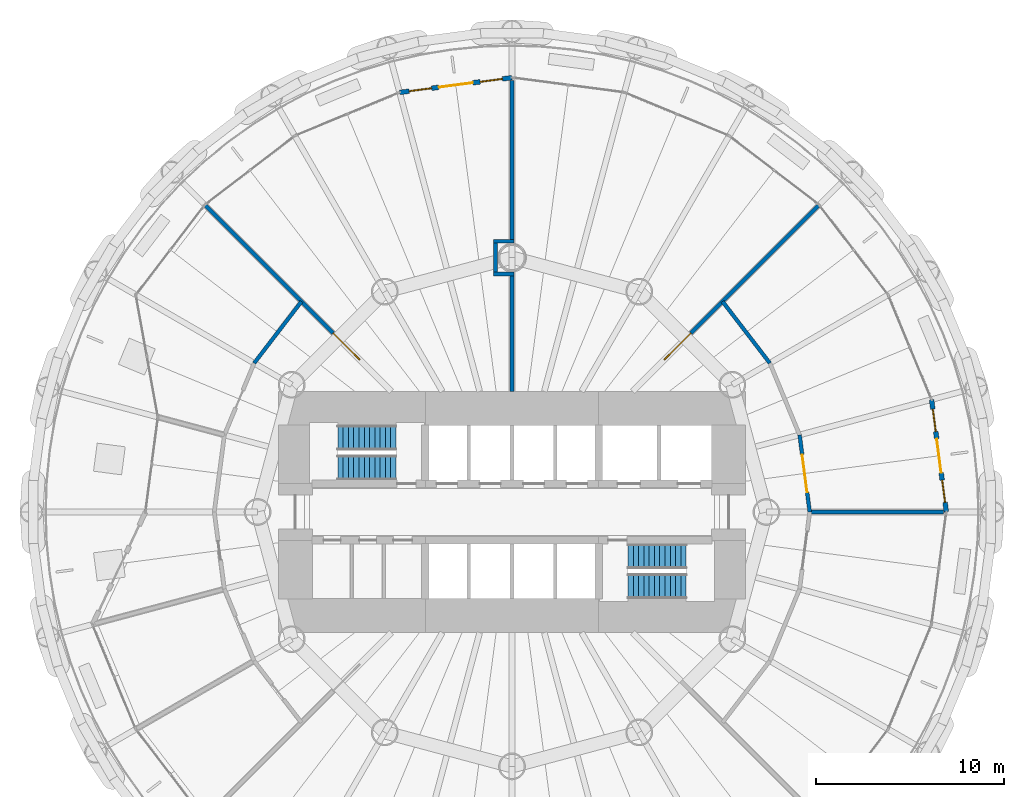
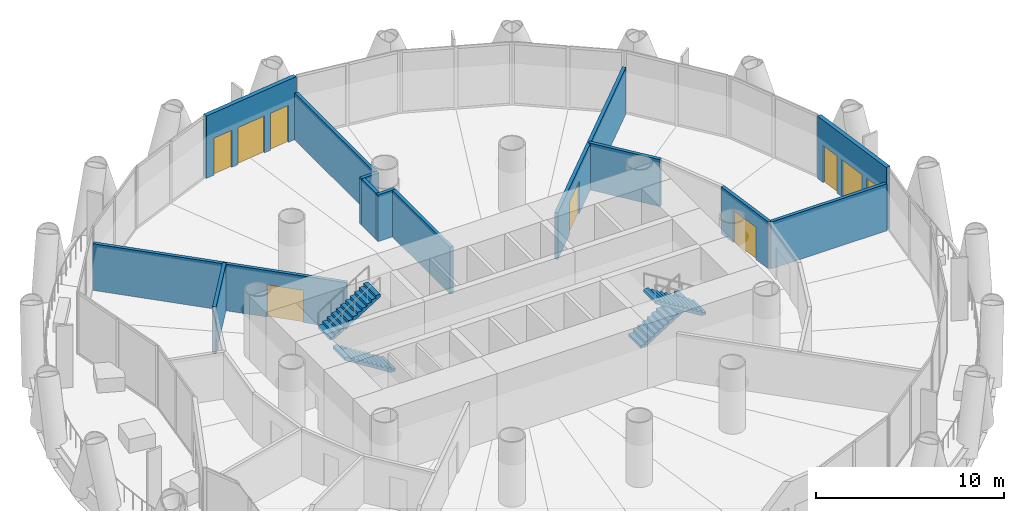
# One storey, part 11 of 15: 13 walls, 5 doors, 4 stair flights, 4 windows, 9 openings, 2 elements without a shape of their own.
"""IFC4 building model written with IfcOpenShell, lengths in metres."""

from ifc_helpers import new_model, si_unit, direction, frame, frame_2d, origin, place, context, subcontext, project, spatial, polyline, rectangle, outline, extrude, material, layer, layer_set, type_object, element, fill, aggregate, save


model = new_model("IFC4")

# Units and contexts
model_context = context("Model", 3, precision=1e-05, world=origin(), true_north=direction((0.0, 1.0)))
body_context = subcontext(model_context, "Body", "Model", "MODEL_VIEW")
ifc_project = project(units=[si_unit("LENGTHUNIT", "METRE"), si_unit("AREAUNIT", "SQUARE_METRE"), si_unit("VOLUMEUNIT", "CUBIC_METRE"), si_unit("PLANEANGLEUNIT", "RADIAN"), si_unit("MASSUNIT", "GRAM", prefix="KILO")], contexts=[model_context])

# Site, building, storey
site_placement = place(None, origin())
site = spatial("IfcSite", under=ifc_project, at=site_placement, CompositionType="ELEMENT")
building_placement = place(site_placement, origin())
building = spatial("IfcBuilding", under=site, at=building_placement, Name="Qaws Media Tower", CompositionType="ELEMENT")
storey_placement = place(building_placement, frame((0.0, 0.0, 72.199951171875)))
storey = spatial("IfcBuildingStorey", under=building, at=storey_placement, Name="L15", CompositionType="ELEMENT", Elevation=72.199951171875)

# Wall, openings, door, windows
ifc_material_1 = material(Name="Precast concrete, exposed finish", Category="concrete")
ifc_layer_1 = layer(ifc_material_1, 0.25)
ifc_layer_set_1 = layer_set([ifc_layer_1], Name="Balcony door wall 250")
wall_type_1 = type_object("IfcWallType", Name="Balcony door wall 250", PredefinedType="SOLIDWALL", material=ifc_layer_set_1)
wall_1_placement = place(storey_placement, frame((83.050048828125, 50.0, 0.0), z_axis=(0.0, 0.0, 1.0), x_axis=(-0.130523782115, 0.991445178667, 0.0)))
wall_1 = element("IfcWall", 1, at=wall_1_placement, inside=storey, type_object=wall_type_1, Name="W152 EW1 balcony door wall L15-01", PredefinedType="SOLIDWALL", context=body_context, shape_type="SweptSolid", body=[
    extrude(rectangle(XDim=6.017333984375, YDim=0.25, at=frame_2d((3.0087890625, 0.0))), origin(), (0.0, 0.0, 1.0), 4.0400390625),
])
opening_1_placement = place(wall_1_placement, frame((2.108642578125, 0.0, 0.0)))
opening_1 = element("IfcOpeningElement", 2, at=opening_1_placement, cuts=wall_1, Name="Opening D7", PredefinedType="OPENING", context=body_context, shape_type="SweptSolid", body=[
    extrude(rectangle(XDim=1.800048828125, YDim=2.39990234375, at=frame_2d((0.89990234375, 1.199951171875))), frame((0.0, 0.135009765625, 0.0), z_axis=(0.0, -1.0, 0.0), x_axis=(1.0, 0.0, 0.0)), (0.0, 0.0, 1.0), 0.27001953125),
])
opening_2_placement = place(wall_1_placement, frame((0.508544921875, 0.0, 0.0)))
opening_2 = element("IfcOpeningElement", 3, at=opening_2_placement, cuts=wall_1, Name="Opening W1", PredefinedType="OPENING", context=body_context, shape_type="SweptSolid", body=[
    extrude(rectangle(XDim=1.199951171875, YDim=2.39990234375, at=frame_2d((0.60009765625, 1.199951171875))), frame((0.0, 0.135009765625, 0.0), z_axis=(0.0, -1.0, 0.0), x_axis=(1.0, 0.0, 0.0)), (0.0, 0.0, 1.0), 0.27001953125),
])
opening_3_placement = place(wall_1_placement, frame((4.30859375, 0.0, 0.0)))
opening_3 = element("IfcOpeningElement", 4, at=opening_3_placement, cuts=wall_1, Name="Opening W1", PredefinedType="OPENING", context=body_context, shape_type="SweptSolid", body=[
    extrude(rectangle(XDim=1.199951171875, YDim=2.39990234375, at=frame_2d((0.60009765625, 1.199951171875))), frame((0.0, 0.135009765625, 0.0), z_axis=(0.0, -1.0, 0.0), x_axis=(1.0, 0.0, 0.0)), (0.0, 0.0, 1.0), 0.27001953125),
])
ifc_material_2 = material(Name="Aluminium and clear glass", Category="aluminium")
door_type_1 = type_object("IfcDoorType", Name="Balcony door pair 1800", OperationType="DOUBLE_DOOR_SLIDING", PredefinedType="DOOR", material=ifc_material_2)
door_1_placement = place(opening_1_placement, origin())
door_1 = element("IfcDoor", 5, at=door_1_placement, inside=storey, type_object=door_type_1, Name="D7 balcony door L15-01 in wall W152", OperationType="DOUBLE_DOOR_SLIDING", OverallHeight=2.39990234375, OverallWidth=1.800048828125, PredefinedType="DOOR", context=body_context, shape_type="SweptSolid", body=[
    extrude(rectangle(XDim=1.800048828125, YDim=2.39990234375, at=frame_2d((0.89990234375, 1.199951171875))), frame((0.0, 0.02490234375, 0.0), z_axis=(0.0, -1.0, 0.0), x_axis=(1.0, 0.0, 0.0)), (0.0, 0.0, 1.0), 0.050048828125),
])
fill(opening_1, door_1)
ifc_material_3 = material(Name="Aluminium and clear glass", Category="aluminium")
window_type = type_object("IfcWindowType", Name="Balcony side window 1200", PartitioningType="SINGLE_PANEL", PredefinedType="WINDOW", material=ifc_material_3)
window_1_placement = place(opening_2_placement, origin())
window_1 = element("IfcWindow", 6, at=window_1_placement, inside=storey, type_object=window_type, Name="W1 balcony side light L15-01L", OverallHeight=2.39990234375, OverallWidth=1.199951171875, PartitioningType="SINGLE_PANEL", PredefinedType="WINDOW", context=body_context, shape_type="SweptSolid", body=[
    extrude(rectangle(XDim=1.199951171875, YDim=2.39990234375, at=frame_2d((0.60009765625, 1.199951171875))), frame((0.0, 0.030029296875, 0.0), z_axis=(0.0, -1.0, 0.0), x_axis=(1.0, 0.0, 0.0)), (0.0, 0.0, 1.0), 0.06005859375),
])
fill(opening_2, window_1)
window_2_placement = place(opening_3_placement, origin())
window_2 = element("IfcWindow", 7, at=window_2_placement, inside=storey, type_object=window_type, Name="W1 balcony side light L15-01R", OverallHeight=2.39990234375, OverallWidth=1.199951171875, PartitioningType="SINGLE_PANEL", PredefinedType="WINDOW", context=body_context, shape_type="SweptSolid", body=[
    extrude(rectangle(XDim=1.199951171875, YDim=2.39990234375, at=frame_2d((0.60009765625, 1.199951171875))), frame((0.0, 0.030029296875, 0.0), z_axis=(0.0, -1.0, 0.0), x_axis=(1.0, 0.0, 0.0)), (0.0, 0.0, 1.0), 0.06005859375),
])
fill(opening_3, window_2)

wall_2_placement = place(storey_placement, frame((60.0, 73.050048828125, 0.0), z_axis=(0.0, 0.0, 1.0), x_axis=(-0.991445178667, -0.130523782115, 0.0)))
wall_2 = element("IfcWall", 8, at=wall_2_placement, inside=storey, type_object=wall_type_1, Name="W151 EW1 balcony door wall L15-07", PredefinedType="SOLIDWALL", context=body_context, shape_type="SweptSolid", body=[
    extrude(rectangle(XDim=6.017333984375, YDim=0.25, at=frame_2d((3.0087890625, 0.0))), origin(), (0.0, 0.0, 1.0), 4.0400390625),
])
opening_4_placement = place(wall_2_placement, frame((2.108642578125, 0.0, 0.0)))
opening_4 = element("IfcOpeningElement", 9, at=opening_4_placement, cuts=wall_2, Name="Opening D7", PredefinedType="OPENING", context=body_context, shape_type="SweptSolid", body=[
    extrude(rectangle(XDim=1.800048828125, YDim=2.39990234375, at=frame_2d((0.89990234375, 1.199951171875))), frame((0.0, 0.135009765625, 0.0), z_axis=(0.0, -1.0, 0.0), x_axis=(1.0, 0.0, 0.0)), (0.0, 0.0, 1.0), 0.27001953125),
])
opening_5_placement = place(wall_2_placement, frame((0.508544921875, 0.0, 0.0)))
opening_5 = element("IfcOpeningElement", 10, at=opening_5_placement, cuts=wall_2, Name="Opening W1", PredefinedType="OPENING", context=body_context, shape_type="SweptSolid", body=[
    extrude(rectangle(XDim=1.199951171875, YDim=2.39990234375, at=frame_2d((0.60009765625, 1.199951171875))), frame((0.0, 0.135009765625, 0.0), z_axis=(0.0, -1.0, 0.0), x_axis=(1.0, 0.0, 0.0)), (0.0, 0.0, 1.0), 0.27001953125),
])
opening_6_placement = place(wall_2_placement, frame((4.30859375, 0.0, 0.0)))
opening_6 = element("IfcOpeningElement", 11, at=opening_6_placement, cuts=wall_2, Name="Opening W1", PredefinedType="OPENING", context=body_context, shape_type="SweptSolid", body=[
    extrude(rectangle(XDim=1.199951171875, YDim=2.39990234375, at=frame_2d((0.60009765625, 1.199951171875))), frame((0.0, 0.135009765625, 0.0), z_axis=(0.0, -1.0, 0.0), x_axis=(1.0, 0.0, 0.0)), (0.0, 0.0, 1.0), 0.27001953125),
])
door_2_placement = place(opening_4_placement, origin())
door_2 = element("IfcDoor", 12, at=door_2_placement, inside=storey, type_object=door_type_1, Name="D7 balcony door L15-07 in wall W151", OperationType="DOUBLE_DOOR_SLIDING", OverallHeight=2.39990234375, OverallWidth=1.800048828125, PredefinedType="DOOR", context=body_context, shape_type="SweptSolid", body=[
    extrude(rectangle(XDim=1.800048828125, YDim=2.39990234375, at=frame_2d((0.89990234375, 1.199951171875))), frame((0.0, 0.02490234375, 0.0), z_axis=(0.0, -1.0, 0.0), x_axis=(1.0, 0.0, 0.0)), (0.0, 0.0, 1.0), 0.050048828125),
])
fill(opening_4, door_2)
window_3_placement = place(opening_5_placement, origin())
window_3 = element("IfcWindow", 13, at=window_3_placement, inside=storey, type_object=window_type, Name="W1 balcony side light L15-07L", OverallHeight=2.39990234375, OverallWidth=1.199951171875, PartitioningType="SINGLE_PANEL", PredefinedType="WINDOW", context=body_context, shape_type="SweptSolid", body=[
    extrude(rectangle(XDim=1.199951171875, YDim=2.39990234375, at=frame_2d((0.60009765625, 1.199951171875))), frame((0.0, 0.030029296875, 0.0), z_axis=(0.0, -1.0, 0.0), x_axis=(1.0, 0.0, 0.0)), (0.0, 0.0, 1.0), 0.06005859375),
])
fill(opening_5, window_3)
window_4_placement = place(opening_6_placement, origin())
window_4 = element("IfcWindow", 14, at=window_4_placement, inside=storey, type_object=window_type, Name="W1 balcony side light L15-07R", OverallHeight=2.39990234375, OverallWidth=1.199951171875, PartitioningType="SINGLE_PANEL", PredefinedType="WINDOW", context=body_context, shape_type="SweptSolid", body=[
    extrude(rectangle(XDim=1.199951171875, YDim=2.39990234375, at=frame_2d((0.60009765625, 1.199951171875))), frame((0.0, 0.030029296875, 0.0), z_axis=(0.0, -1.0, 0.0), x_axis=(1.0, 0.0, 0.0)), (0.0, 0.0, 1.0), 0.06005859375),
])
fill(opening_6, window_4)

# Walls
ifc_material_4 = material(Name="Gypsum board on galvanised metal studs, acoustic double stud, deflection head", Category="gypsum")
ifc_layer_2 = layer(ifc_material_4, 0.199951171875)
ifc_layer_set_2 = layer_set([ifc_layer_2], Name="Room partition 200")
wall_type_2 = type_object("IfcWallType", Name="Room partition 200", PredefinedType="PARTITIONING", material=ifc_layer_set_2)
for number, where, z_axis, x_axis, name in (
    (15, (46.31689453125, 57.89990234375, 0.0), (0.0, 0.0, 1.0), (0.608714823874, 0.793389099494, 0.0), "W947 IW3 partition L15"),
    (16, (71.17236328125, 61.17236328125, 0.0), (0.0, 0.0, 1.0), (0.608714823874, -0.793389099494, 0.0), "W953 IW3 partition L15"),
):
    element("IfcWall", number, at=place(storey_placement, frame(where, z_axis=z_axis, x_axis=x_axis)), inside=storey, type_object=wall_type_2, Name=name, PredefinedType="PARTITIONING", context=body_context, shape_type="SweptSolid", body=[
        extrude(rectangle(XDim=4.124755859375, YDim=0.199951171875, at=frame_2d((2.0625, 0.0))), origin(), (0.0, 0.0, 1.0), 3.0400390625),
    ])

# Wall, opening, door
wall_3_placement = place(storey_placement, frame((75.26171875, 54.08935546875, 0.0), z_axis=(0.0, 0.0, 1.0), x_axis=(0.130515758099, -0.991446234996, 0.0)))
wall_3 = element("IfcWall", 17, at=wall_3_placement, inside=storey, type_object=wall_type_2, Name="W958 IW3 partition L15", PredefinedType="PARTITIONING", context=body_context, shape_type="SweptSolid", body=[
    extrude(rectangle(XDim=4.124755859375, YDim=0.199951171875, at=frame_2d((2.0625, 0.0))), origin(), (0.0, 0.0, 1.0), 3.0400390625),
])
opening_7_placement = place(wall_3_placement, frame((1.062255859375, 0.0, 0.0)))
opening_7 = element("IfcOpeningElement", 18, at=opening_7_placement, cuts=wall_3, Name="Opening D6", PredefinedType="OPENING", context=body_context, shape_type="SweptSolid", body=[
    extrude(rectangle(XDim=2.0, YDim=2.10009765625, at=frame_2d((1.0, 1.050048828125))), frame((0.0, 0.10986328125, 0.0), z_axis=(0.0, -1.0, 0.0), x_axis=(1.0, 0.0, 0.0)), (0.0, 0.0, 1.0), 0.219970703125),
])
ifc_material_5 = material(Name="Steel, acoustic, fire rated", Category="steel")
door_type_2 = type_object("IfcDoorType", Name="Room door pair 2000", OperationType="DOUBLE_DOOR_DOUBLE_SWING", PredefinedType="DOOR", material=ifc_material_5)
door_3_placement = place(opening_7_placement, origin())
door_3 = element("IfcDoor", 19, at=door_3_placement, inside=storey, type_object=door_type_2, Name="D6 Digital desk door L15 in wall W958", OperationType="DOUBLE_DOOR_DOUBLE_SWING", OverallHeight=2.10009765625, OverallWidth=2.0, PredefinedType="DOOR", context=body_context, shape_type="SweptSolid", body=[
    extrude(rectangle(XDim=2.0, YDim=2.10009765625, at=frame_2d((1.0, 1.050048828125))), frame((0.0, 0.02490234375, 0.0), z_axis=(0.0, -1.0, 0.0), x_axis=(1.0, 0.0, 0.0)), (0.0, 0.0, 1.0), 0.050048828125),
])
fill(opening_7, door_3)

# Wall
wall_4_placement = place(storey_placement, frame((75.800048828125, 50.0, 0.0), z_axis=(0.0, 0.0, 1.0), x_axis=(1.0, 0.0, 0.0)))
element("IfcWall", 20, at=wall_4_placement, inside=storey, type_object=wall_type_2, Name="W1088 IW3 partition L15", PredefinedType="PARTITIONING", context=body_context, shape_type="SweptSolid", body=[
    extrude(rectangle(XDim=7.10986328125, YDim=0.199951171875, at=frame_2d((3.554931640625, 0.0))), origin(), (0.0, 0.0, 1.0), 3.0400390625),
])

# Wall, opening, door
wall_5_placement = place(storey_placement, frame((66.39990234375, 56.39990234375, 0.0), z_axis=(0.0, 0.0, 1.0), x_axis=(0.707106781187, 0.707106781187, 0.0)))
wall_5 = element("IfcWall", 21, at=wall_5_placement, inside=storey, type_object=wall_type_2, Name="W1087 IW3 partition L15", PredefinedType="PARTITIONING", context=body_context, shape_type="SweptSolid", body=[
    extrude(rectangle(XDim=13.959228515625, YDim=0.199951171875, at=frame_2d((6.9794921875, 0.0))), origin(), (0.0, 0.0, 1.0), 3.02001953125),
])
opening_8_placement = place(wall_5_placement, frame((2.37451171875, 0.0, 0.0)))
opening_8 = element("IfcOpeningElement", 22, at=opening_8_placement, cuts=wall_5, Name="Opening D6", PredefinedType="OPENING", context=body_context, shape_type="SweptSolid", body=[
    extrude(rectangle(XDim=2.0, YDim=2.10009765625, at=frame_2d((1.0, 1.050048828125))), frame((0.0, 0.10986328125, 0.0), z_axis=(0.0, -1.0, 0.0), x_axis=(1.0, 0.0, 0.0)), (0.0, 0.0, 1.0), 0.219970703125),
])
door_4_placement = place(opening_8_placement, origin())
door_4 = element("IfcDoor", 23, at=door_4_placement, inside=storey, type_object=door_type_2, Name="D6 Digital desk door L15 in wall W1087", OperationType="DOUBLE_DOOR_DOUBLE_SWING", OverallHeight=2.10009765625, OverallWidth=2.0, PredefinedType="DOOR", context=body_context, shape_type="SweptSolid", body=[
    extrude(rectangle(XDim=2.0, YDim=2.10009765625, at=frame_2d((1.0, 1.050048828125))), frame((0.0, 0.02490234375, 0.0), z_axis=(0.0, -1.0, 0.0), x_axis=(1.0, 0.0, 0.0)), (0.0, 0.0, 1.0), 0.050048828125),
])
fill(opening_8, door_4)

# Walls
for number, where, z_axis, x_axis, name in (
    (24, (60.10009765625, 62.62890625, 0.0), (0.0, 0.0, 1.0), (-1.0, 0.0, 0.0), "W1075 IW3 partition return L15"),
    (25, (60.10009765625, 64.37109375, 0.0), (0.0, 0.0, 1.0), (-1.0, 0.0, 0.0), "W1076 IW3 partition return L15"),
):
    element("IfcWall", number, at=place(storey_placement, frame(where, z_axis=z_axis, x_axis=x_axis)), inside=storey, type_object=wall_type_2, Name=name, PredefinedType="PARTITIONING", context=body_context, shape_type="SweptSolid", body=[
        extrude(rectangle(XDim=1.0810546875, YDim=0.199951171875, at=frame_2d((0.54052734375, 0.0))), origin(), (0.0, 0.0, 1.0), 3.02001953125),
    ])
wall_6_placement = place(storey_placement, frame((59.118896484375, 62.72900390625, 0.0), z_axis=(0.0, 0.0, 1.0), x_axis=(0.0, 1.0, 0.0)))
element("IfcWall", 26, at=wall_6_placement, inside=storey, type_object=wall_type_2, Name="W1072 IW3 partition return L15", PredefinedType="PARTITIONING", context=body_context, shape_type="SweptSolid", body=[
    extrude(rectangle(XDim=1.5419921875, YDim=0.199951171875, at=frame_2d((0.77099609375, 0.0))), origin(), (0.0, 0.0, 1.0), 3.02001953125),
])
wall_7_placement = place(storey_placement, frame((60.0, 56.39990234375, 0.0), z_axis=(0.0, 0.0, 1.0), x_axis=(0.0, 1.0, 0.0)))
element("IfcWall", 27, at=wall_7_placement, inside=storey, type_object=wall_type_2, Name="W1073 IW3 partition L15", PredefinedType="PARTITIONING", context=body_context, shape_type="SweptSolid", body=[
    extrude(rectangle(XDim=6.129150390625, YDim=0.199951171875, at=frame_2d((3.064453125, 0.0))), origin(), (0.0, 0.0, 1.0), 3.0400390625),
])
wall_8_placement = place(storey_placement, frame((60.0, 64.470947265625, 0.0), z_axis=(0.0, 0.0, 1.0), x_axis=(0.0, 1.0, 0.0)))
element("IfcWall", 28, at=wall_8_placement, inside=storey, type_object=wall_type_2, Name="W1085 IW3 partition L15", PredefinedType="PARTITIONING", context=body_context, shape_type="SweptSolid", body=[
    extrude(rectangle(XDim=8.43896484375, YDim=0.199951171875, at=frame_2d((4.219482421875, 0.0))), origin(), (0.0, 0.0, 1.0), 3.0400390625),
])

# Wall, opening, door
wall_9_placement = place(storey_placement, frame((53.60009765625, 56.39990234375, 0.0), z_axis=(0.0, 0.0, 1.0), x_axis=(-0.707106781187, 0.707106781187, 0.0)))
wall_9 = element("IfcWall", 29, at=wall_9_placement, inside=storey, type_object=wall_type_2, Name="W1084 IW3 partition L15", PredefinedType="PARTITIONING", context=body_context, shape_type="SweptSolid", body=[
    extrude(rectangle(XDim=13.959228515625, YDim=0.199951171875, at=frame_2d((6.9794921875, 0.0))), origin(), (0.0, 0.0, 1.0), 3.02001953125),
])
opening_9_placement = place(wall_9_placement, frame((2.37451171875, 0.0, 0.0)))
opening_9 = element("IfcOpeningElement", 30, at=opening_9_placement, cuts=wall_9, Name="Opening D6", PredefinedType="OPENING", context=body_context, shape_type="SweptSolid", body=[
    extrude(rectangle(XDim=2.0, YDim=2.10009765625, at=frame_2d((1.0, 1.050048828125))), frame((0.0, 0.10986328125, 0.0), z_axis=(0.0, -1.0, 0.0), x_axis=(1.0, 0.0, 0.0)), (0.0, 0.0, 1.0), 0.219970703125),
])
door_5_placement = place(opening_9_placement, origin())
door_5 = element("IfcDoor", 31, at=door_5_placement, inside=storey, type_object=door_type_2, Name="D6 Social media desk door L15 in wall W1084", OperationType="DOUBLE_DOOR_DOUBLE_SWING", OverallHeight=2.10009765625, OverallWidth=2.0, PredefinedType="DOOR", context=body_context, shape_type="SweptSolid", body=[
    extrude(rectangle(XDim=2.0, YDim=2.10009765625, at=frame_2d((1.0, 1.050048828125))), frame((0.0, 0.02490234375, 0.0), z_axis=(0.0, -1.0, 0.0), x_axis=(1.0, 0.0, 0.0)), (0.0, 0.0, 1.0), 0.050048828125),
])
fill(opening_9, door_5)

# Stair, stair flights
ifc_material_6 = material(Name="Concrete C40/50", Category="concrete")
stair_type = type_object("IfcStairType", Name="Exit stair", PredefinedType="HALF_TURN_STAIR", material=ifc_material_6)
stair_1_placement = place(storey_placement, origin())
stair_1 = element("IfcStair", 32, at=stair_1_placement, inside=storey, type_object=stair_type, Name="S1 exit stair L15", PredefinedType="HALF_TURN_STAIR")
ifc_material_7 = material(Name="Concrete C40/50", Category="concrete")
stair_flight_type = type_object("IfcStairFlightType", Name="Stair flight 1310", PredefinedType="STRAIGHT", material=ifc_material_7)
stair_flight_1_placement = place(storey_placement, frame((53.840087890625, 52.35498046875, 0.0), z_axis=(0.0, 0.0, 1.0), x_axis=(-1.0, 0.0, 0.0)))
stair_flight_1 = element("IfcStairFlight", 33, at=stair_flight_1_placement, type_object=stair_flight_type, Name="S1 flight 1", NumberOfRisers=12, NumberOfTreads=11, PredefinedType="STRAIGHT", RiserHeight=0.175, TreadLength=0.28, context=body_context, shape_type="SweptSolid", body=[
    extrude(outline(polyline([(0.0, 0.0), (0.0, 0.175048828125), (0.280029296875, 0.175048828125), (0.280029296875, 0.35009765625), (0.56005859375, 0.35009765625), (0.56005859375, 0.52490234375), (0.840087890625, 0.52490234375), (0.840087890625, 0.699951171875), (1.1201171875, 0.699951171875), (1.1201171875, 0.875), (1.39990234375, 0.875), (1.39990234375, 1.050048828125), (1.679931640625, 1.050048828125), (1.679931640625, 1.22509765625), (1.9599609375, 1.22509765625), (1.9599609375, 1.39990234375), (2.239990234375, 1.39990234375), (2.239990234375, 1.574951171875), (2.52001953125, 1.574951171875), (2.52001953125, 1.75), (2.800048828125, 1.75), (2.800048828125, 1.925048828125), (3.080078125, 1.925048828125), (3.080078125, 2.10009765625), (3.080078125, 1.748291015625), (0.28271484375, 0.0), (0.0, 0.0)])), frame((0.0, 0.655029296875, 0.0), z_axis=(0.0, -1.0, 0.0), x_axis=(1.0, 0.0, 0.0)), (0.0, 0.0, 1.0), 1.31005859375),
])
stair_flight_2_placement = place(storey_placement, frame((50.760009765625, 53.945068359375, 2.10009765625), z_axis=(0.0, 0.0, 1.0), x_axis=(1.0, 0.0, 0.0)))
stair_flight_2 = element("IfcStairFlight", 34, at=stair_flight_2_placement, type_object=stair_flight_type, Name="S1 flight 2", NumberOfRisers=12, NumberOfTreads=11, PredefinedType="STRAIGHT", RiserHeight=0.175, TreadLength=0.28, context=body_context, shape_type="SweptSolid", body=[
    extrude(outline(polyline([(0.0, 0.0), (0.0, 0.175048828125), (0.280029296875, 0.175048828125), (0.280029296875, 0.35009765625), (0.56005859375, 0.35009765625), (0.56005859375, 0.52490234375), (0.840087890625, 0.52490234375), (0.840087890625, 0.699951171875), (1.1201171875, 0.699951171875), (1.1201171875, 0.875), (1.39990234375, 0.875), (1.39990234375, 1.050048828125), (1.679931640625, 1.050048828125), (1.679931640625, 1.22509765625), (1.9599609375, 1.22509765625), (1.9599609375, 1.39990234375), (2.239990234375, 1.39990234375), (2.239990234375, 1.574951171875), (2.52001953125, 1.574951171875), (2.52001953125, 1.75), (2.800048828125, 1.75), (2.800048828125, 1.925048828125), (3.080078125, 1.925048828125), (3.080078125, 2.10009765625), (3.080078125, 1.748291015625), (0.28271484375, 0.0), (0.0, 0.0)])), frame((0.0, 0.655029296875, 0.0), z_axis=(0.0, -1.0, 0.0), x_axis=(1.0, 0.0, 0.0)), (0.0, 0.0, 1.0), 1.31005859375),
])
aggregate(stair_1, [stair_flight_1, stair_flight_2])

stair_2_placement = place(storey_placement, origin())
stair_2 = element("IfcStair", 35, at=stair_2_placement, inside=storey, type_object=stair_type, Name="S2 exit stair L15", PredefinedType="HALF_TURN_STAIR")
stair_flight_3_placement = place(storey_placement, frame((66.159912109375, 47.64501953125, 0.0), z_axis=(0.0, 0.0, 1.0), x_axis=(1.0, 0.0, 0.0)))
stair_flight_3 = element("IfcStairFlight", 36, at=stair_flight_3_placement, type_object=stair_flight_type, Name="S2 flight 1", NumberOfRisers=12, NumberOfTreads=11, PredefinedType="STRAIGHT", RiserHeight=0.175, TreadLength=0.28, context=body_context, shape_type="SweptSolid", body=[
    extrude(outline(polyline([(0.0, 0.0), (0.0, 0.175048828125), (0.280029296875, 0.175048828125), (0.280029296875, 0.35009765625), (0.56005859375, 0.35009765625), (0.56005859375, 0.52490234375), (0.840087890625, 0.52490234375), (0.840087890625, 0.699951171875), (1.1201171875, 0.699951171875), (1.1201171875, 0.875), (1.39990234375, 0.875), (1.39990234375, 1.050048828125), (1.679931640625, 1.050048828125), (1.679931640625, 1.22509765625), (1.9599609375, 1.22509765625), (1.9599609375, 1.39990234375), (2.239990234375, 1.39990234375), (2.239990234375, 1.574951171875), (2.52001953125, 1.574951171875), (2.52001953125, 1.75), (2.800048828125, 1.75), (2.800048828125, 1.925048828125), (3.080078125, 1.925048828125), (3.080078125, 2.10009765625), (3.080078125, 1.748291015625), (0.28271484375, 0.0), (0.0, 0.0)])), frame((0.0, 0.655029296875, 0.0), z_axis=(0.0, -1.0, 0.0), x_axis=(1.0, 0.0, 0.0)), (0.0, 0.0, 1.0), 1.31005859375),
])
stair_flight_4_placement = place(storey_placement, frame((69.239990234375, 46.054931640625, 2.10009765625), z_axis=(0.0, 0.0, 1.0), x_axis=(-1.0, 0.0, 0.0)))
stair_flight_4 = element("IfcStairFlight", 37, at=stair_flight_4_placement, type_object=stair_flight_type, Name="S2 flight 2", NumberOfRisers=12, NumberOfTreads=11, PredefinedType="STRAIGHT", RiserHeight=0.175, TreadLength=0.28, context=body_context, shape_type="SweptSolid", body=[
    extrude(outline(polyline([(0.0, 0.0), (0.0, 0.175048828125), (0.280029296875, 0.175048828125), (0.280029296875, 0.35009765625), (0.56005859375, 0.35009765625), (0.56005859375, 0.52490234375), (0.840087890625, 0.52490234375), (0.840087890625, 0.699951171875), (1.1201171875, 0.699951171875), (1.1201171875, 0.875), (1.39990234375, 0.875), (1.39990234375, 1.050048828125), (1.679931640625, 1.050048828125), (1.679931640625, 1.22509765625), (1.9599609375, 1.22509765625), (1.9599609375, 1.39990234375), (2.239990234375, 1.39990234375), (2.239990234375, 1.574951171875), (2.52001953125, 1.574951171875), (2.52001953125, 1.75), (2.800048828125, 1.75), (2.800048828125, 1.925048828125), (3.080078125, 1.925048828125), (3.080078125, 2.10009765625), (3.080078125, 1.748291015625), (0.28271484375, 0.0), (0.0, 0.0)])), frame((0.0, 0.655029296875, 0.0), z_axis=(0.0, -1.0, 0.0), x_axis=(1.0, 0.0, 0.0)), (0.0, 0.0, 1.0), 1.31005859375),
])
aggregate(stair_2, [stair_flight_3, stair_flight_4])

save(model, "model.ifc")
